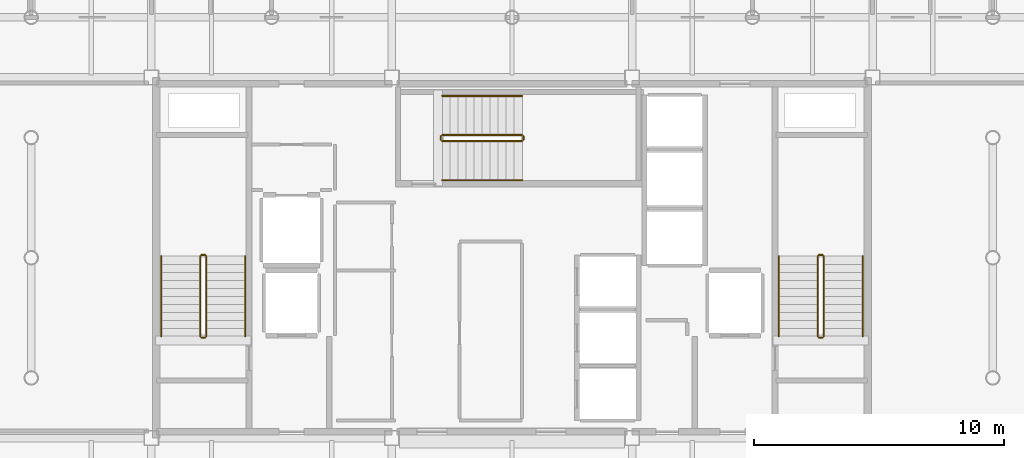
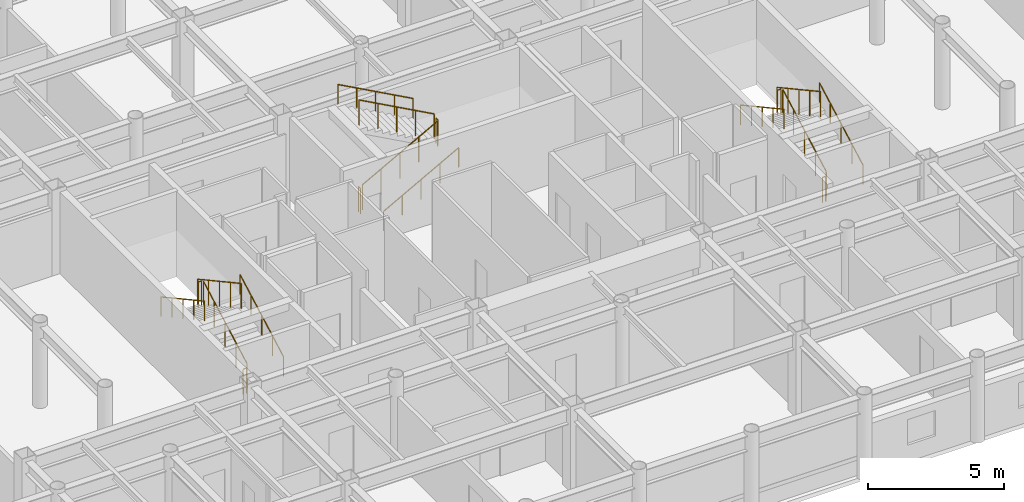
# One storey, part 22 of 22: 18 railings.
"""IFC4 building model written with IfcOpenShell, lengths in metres."""

from ifc_helpers import new_model, si_unit, direction, frame, origin, origin_2d, place, context, subcontext, project, spatial, circle, extrude, material, layer, layer_set, type_object, element, save


model = new_model("IFC4")

# Units and contexts
model_context = context("Model", 3, precision=1e-05, world=origin(), true_north=direction((0.0, 1.0)))
body_context = subcontext(model_context, "Body", "Model", "MODEL_VIEW")
ifc_project = project(units=[si_unit("LENGTHUNIT", "METRE"), si_unit("AREAUNIT", "SQUARE_METRE"), si_unit("VOLUMEUNIT", "CUBIC_METRE"), si_unit("PLANEANGLEUNIT", "RADIAN"), si_unit("MASSUNIT", "GRAM", prefix="KILO")], contexts=[model_context])

# Site, building, storey
site_placement = place(None, origin())
site = spatial("IfcSite", under=ifc_project, at=site_placement, CompositionType="ELEMENT")
building_placement = place(site_placement, origin())
building = spatial("IfcBuilding", under=site, at=building_placement, Name="Kallvorn Hotel Tower", CompositionType="ELEMENT")
storey_placement = place(building_placement, frame((0.0, 0.0, 241.550048828125)))
storey = spatial("IfcBuildingStorey", under=building, at=storey_placement, Name="L60", CompositionType="ELEMENT", Elevation=241.550048828125)

# Railings
ifc_material_1 = material(Name="Brushed stainless-steel tubular railing", Category="steel")
ifc_layer_1 = layer(ifc_material_1, 0.050048828125)
ifc_layer_set_1 = layer_set([ifc_layer_1], Name="RL_STAIR_GUARD")
railing_type_1 = type_object("IfcRailingType", Name="RL_STAIR_GUARD", PredefinedType="GUARDRAIL", material=ifc_layer_set_1)
railing_1_placement = place(storey_placement, frame((-12.2099609375, -3.139892578125, 0.175048828125)))
element("IfcRailing", 1, at=railing_1_placement, inside=storey, type_object=railing_type_1, Name="L60 ST1 stair guard 1", PredefinedType="GUARDRAIL", context=body_context, shape_type="SweptSolid", body=[
    extrude(circle(Radius=0.02392578125, at=origin_2d()), frame((0.0, 0.0, 1.1259765625), z_axis=(0.0, 0.877368057402, 0.479817977833), x_axis=(-1.0, 0.0, 0.0)), (0.0, 0.0, 1.0), 3.647216796875),
    extrude(circle(Radius=0.02099609375, at=origin_2d()), origin(), (0.0, 0.0, 1.0), 1.101806640625),
    extrude(circle(Radius=0.02099609375, at=origin_2d()), frame((0.0, 0.800048828125, 0.4375)), (0.0, 0.0, 1.0), 1.101806640625),
    extrude(circle(Radius=0.02099609375, at=origin_2d()), frame((0.0, 1.60009765625, 0.875)), (0.0, 0.0, 1.0), 1.101806640625),
    extrude(circle(Radius=0.02099609375, at=origin_2d()), frame((0.0, 2.39990234375, 1.3125)), (0.0, 0.0, 1.0), 1.101806640625),
    extrude(circle(Radius=0.02099609375, at=origin_2d()), frame((0.0, 3.199951171875, 1.75)), (0.0, 0.0, 1.0), 1.101806640625),
])
railing_2_placement = place(storey_placement, frame((-12.260009765625, 0.110107421875, 1.925048828125)))
element("IfcRailing", 2, at=railing_2_placement, inside=storey, type_object=railing_type_1, Name="L60 ST1 stair guard 2", PredefinedType="GUARDRAIL", context=body_context, shape_type="SweptSolid", body=[
    extrude(circle(Radius=0.02392578125, at=origin_2d()), frame((0.0, 0.0, 1.1259765625), z_axis=(-1.0, 0.0, 0.0), x_axis=(0.0, -1.0, 0.0)), (0.0, 0.0, 1.0), 0.139892578125),
    extrude(circle(Radius=0.02099609375, at=origin_2d()), origin(), (0.0, 0.0, 1.0), 1.101806640625),
    extrude(circle(Radius=0.02099609375, at=origin_2d()), frame((-0.139892578125, 0.0, 0.0)), (0.0, 0.0, 1.0), 1.101806640625),
])
railing_3_placement = place(storey_placement, frame((-12.449951171875, 0.06005859375, 2.099853515625)))
element("IfcRailing", 3, at=railing_3_placement, inside=storey, type_object=railing_type_1, Name="L60 ST1 stair guard 3", PredefinedType="GUARDRAIL", context=body_context, shape_type="SweptSolid", body=[
    extrude(circle(Radius=0.02392578125, at=origin_2d()), frame((0.0, 0.0, 1.1259765625), z_axis=(0.0, -0.877368057402, 0.479817977833), x_axis=(1.0, 0.0, 0.0)), (0.0, 0.0, 1.0), 3.647216796875),
    extrude(circle(Radius=0.02099609375, at=origin_2d()), origin(), (0.0, 0.0, 1.0), 1.101806640625),
    extrude(circle(Radius=0.02099609375, at=origin_2d()), frame((0.0, -0.800048828125, 0.4375)), (0.0, 0.0, 1.0), 1.101806640625),
    extrude(circle(Radius=0.02099609375, at=origin_2d()), frame((0.0, -1.60009765625, 0.875)), (0.0, 0.0, 1.0), 1.101806640625),
    extrude(circle(Radius=0.02099609375, at=origin_2d()), frame((0.0, -2.39990234375, 1.3125)), (0.0, 0.0, 1.0), 1.101806640625),
    extrude(circle(Radius=0.02099609375, at=origin_2d()), frame((0.0, -3.199951171875, 1.75)), (0.0, 0.0, 1.0), 1.101806640625),
])
railing_4_placement = place(storey_placement, frame((-12.260009765625, -3.18994140625, 0.0)))
element("IfcRailing", 4, at=railing_4_placement, inside=storey, type_object=railing_type_1, Name="L60 ST1 stair guard 4", PredefinedType="GUARDRAIL", context=body_context, shape_type="SweptSolid", body=[
    extrude(circle(Radius=0.02392578125, at=origin_2d()), frame((0.0, 0.0, 1.1259765625), z_axis=(-1.0, 0.0, 0.0), x_axis=(0.0, -1.0, 0.0)), (0.0, 0.0, 1.0), 0.139892578125),
    extrude(circle(Radius=0.02099609375, at=origin_2d()), origin(), (0.0, 0.0, 1.0), 1.101806640625),
    extrude(circle(Radius=0.02099609375, at=origin_2d()), frame((-0.139892578125, 0.0, 0.0)), (0.0, 0.0, 1.0), 1.101806640625),
])
railing_5_placement = place(storey_placement, frame((12.449951171875, -3.139892578125, 0.175048828125)))
element("IfcRailing", 5, at=railing_5_placement, inside=storey, type_object=railing_type_1, Name="L60 ST2 stair guard 1", PredefinedType="GUARDRAIL", context=body_context, shape_type="SweptSolid", body=[
    extrude(circle(Radius=0.02392578125, at=origin_2d()), frame((0.0, 0.0, 1.1259765625), z_axis=(0.0, 0.877368057402, 0.479817977833), x_axis=(-1.0, 0.0, 0.0)), (0.0, 0.0, 1.0), 3.647216796875),
    extrude(circle(Radius=0.02099609375, at=origin_2d()), origin(), (0.0, 0.0, 1.0), 1.101806640625),
    extrude(circle(Radius=0.02099609375, at=origin_2d()), frame((0.0, 0.800048828125, 0.4375)), (0.0, 0.0, 1.0), 1.101806640625),
    extrude(circle(Radius=0.02099609375, at=origin_2d()), frame((0.0, 1.60009765625, 0.875)), (0.0, 0.0, 1.0), 1.101806640625),
    extrude(circle(Radius=0.02099609375, at=origin_2d()), frame((0.0, 2.39990234375, 1.3125)), (0.0, 0.0, 1.0), 1.101806640625),
    extrude(circle(Radius=0.02099609375, at=origin_2d()), frame((0.0, 3.199951171875, 1.75)), (0.0, 0.0, 1.0), 1.101806640625),
])
railing_6_placement = place(storey_placement, frame((12.39990234375, 0.110107421875, 1.925048828125)))
element("IfcRailing", 6, at=railing_6_placement, inside=storey, type_object=railing_type_1, Name="L60 ST2 stair guard 2", PredefinedType="GUARDRAIL", context=body_context, shape_type="SweptSolid", body=[
    extrude(circle(Radius=0.02392578125, at=origin_2d()), frame((0.0, 0.0, 1.1259765625), z_axis=(-1.0, 0.0, 0.0), x_axis=(0.0, -1.0, 0.0)), (0.0, 0.0, 1.0), 0.139892578125),
    extrude(circle(Radius=0.02099609375, at=origin_2d()), origin(), (0.0, 0.0, 1.0), 1.101806640625),
    extrude(circle(Radius=0.02099609375, at=origin_2d()), frame((-0.139892578125, 0.0, 0.0)), (0.0, 0.0, 1.0), 1.101806640625),
])
railing_7_placement = place(storey_placement, frame((12.2099609375, 0.06005859375, 2.099853515625)))
element("IfcRailing", 7, at=railing_7_placement, inside=storey, type_object=railing_type_1, Name="L60 ST2 stair guard 3", PredefinedType="GUARDRAIL", context=body_context, shape_type="SweptSolid", body=[
    extrude(circle(Radius=0.02392578125, at=origin_2d()), frame((0.0, 0.0, 1.1259765625), z_axis=(0.0, -0.877368057402, 0.479817977833), x_axis=(1.0, 0.0, 0.0)), (0.0, 0.0, 1.0), 3.647216796875),
    extrude(circle(Radius=0.02099609375, at=origin_2d()), origin(), (0.0, 0.0, 1.0), 1.101806640625),
    extrude(circle(Radius=0.02099609375, at=origin_2d()), frame((0.0, -0.800048828125, 0.4375)), (0.0, 0.0, 1.0), 1.101806640625),
    extrude(circle(Radius=0.02099609375, at=origin_2d()), frame((0.0, -1.60009765625, 0.875)), (0.0, 0.0, 1.0), 1.101806640625),
    extrude(circle(Radius=0.02099609375, at=origin_2d()), frame((0.0, -2.39990234375, 1.3125)), (0.0, 0.0, 1.0), 1.101806640625),
    extrude(circle(Radius=0.02099609375, at=origin_2d()), frame((0.0, -3.199951171875, 1.75)), (0.0, 0.0, 1.0), 1.101806640625),
])
railing_8_placement = place(storey_placement, frame((12.39990234375, -3.18994140625, 0.0)))
element("IfcRailing", 8, at=railing_8_placement, inside=storey, type_object=railing_type_1, Name="L60 ST2 stair guard 4", PredefinedType="GUARDRAIL", context=body_context, shape_type="SweptSolid", body=[
    extrude(circle(Radius=0.02392578125, at=origin_2d()), frame((0.0, 0.0, 1.1259765625), z_axis=(-1.0, 0.0, 0.0), x_axis=(0.0, -1.0, 0.0)), (0.0, 0.0, 1.0), 0.139892578125),
    extrude(circle(Radius=0.02099609375, at=origin_2d()), origin(), (0.0, 0.0, 1.0), 1.101806640625),
    extrude(circle(Radius=0.02099609375, at=origin_2d()), frame((-0.139892578125, 0.0, 0.0)), (0.0, 0.0, 1.0), 1.101806640625),
])
railing_9_placement = place(storey_placement, frame((-2.7900390625, 4.659912109375, 0.175048828125)))
element("IfcRailing", 9, at=railing_9_placement, inside=storey, type_object=railing_type_1, Name="L60 ST3 stair guard 1", PredefinedType="GUARDRAIL", context=body_context, shape_type="SweptSolid", body=[
    extrude(circle(Radius=0.02392578125, at=origin_2d()), frame((0.0, 0.0, 1.1259765625), z_axis=(0.877368057402, 0.0, 0.479817977833), x_axis=(0.0, 1.0, 0.0)), (0.0, 0.0, 1.0), 3.647216796875),
    extrude(circle(Radius=0.02099609375, at=origin_2d()), origin(), (0.0, 0.0, 1.0), 1.101806640625),
    extrude(circle(Radius=0.02099609375, at=origin_2d()), frame((0.800048828125, 0.0, 0.4375)), (0.0, 0.0, 1.0), 1.101806640625),
    extrude(circle(Radius=0.02099609375, at=origin_2d()), frame((1.60009765625, 0.0, 0.875)), (0.0, 0.0, 1.0), 1.101806640625),
    extrude(circle(Radius=0.02099609375, at=origin_2d()), frame((2.39990234375, 0.0, 1.3125)), (0.0, 0.0, 1.0), 1.101806640625),
    extrude(circle(Radius=0.02099609375, at=origin_2d()), frame((3.199951171875, 0.0, 1.75)), (0.0, 0.0, 1.0), 1.101806640625),
])
railing_10_placement = place(storey_placement, frame((0.4599609375, 4.7099609375, 1.925048828125)))
element("IfcRailing", 10, at=railing_10_placement, inside=storey, type_object=railing_type_1, Name="L60 ST3 stair guard 2", PredefinedType="GUARDRAIL", context=body_context, shape_type="SweptSolid", body=[
    extrude(circle(Radius=0.02392578125, at=origin_2d()), frame((0.0, 0.0, 1.1259765625), z_axis=(0.0, 1.0, 0.0), x_axis=(-1.0, 0.0, 0.0)), (0.0, 0.0, 1.0), 0.14013671875),
    extrude(circle(Radius=0.02099609375, at=origin_2d()), origin(), (0.0, 0.0, 1.0), 1.101806640625),
    extrude(circle(Radius=0.02099609375, at=origin_2d()), frame((0.0, 0.14013671875, 0.0)), (0.0, 0.0, 1.0), 1.101806640625),
])
railing_11_placement = place(storey_placement, frame((0.409912109375, 4.89990234375, 2.099853515625)))
element("IfcRailing", 11, at=railing_11_placement, inside=storey, type_object=railing_type_1, Name="L60 ST3 stair guard 3", PredefinedType="GUARDRAIL", context=body_context, shape_type="SweptSolid", body=[
    extrude(circle(Radius=0.02392578125, at=origin_2d()), frame((0.0, 0.0, 1.1259765625), z_axis=(-0.877368057402, 0.0, 0.479817977833), x_axis=(0.0, -1.0, 0.0)), (0.0, 0.0, 1.0), 3.647216796875),
    extrude(circle(Radius=0.02099609375, at=origin_2d()), origin(), (0.0, 0.0, 1.0), 1.101806640625),
    extrude(circle(Radius=0.02099609375, at=origin_2d()), frame((-0.800048828125, 0.0, 0.4375)), (0.0, 0.0, 1.0), 1.101806640625),
    extrude(circle(Radius=0.02099609375, at=origin_2d()), frame((-1.60009765625, 0.0, 0.875)), (0.0, 0.0, 1.0), 1.101806640625),
    extrude(circle(Radius=0.02099609375, at=origin_2d()), frame((-2.39990234375, 0.0, 1.3125)), (0.0, 0.0, 1.0), 1.101806640625),
    extrude(circle(Radius=0.02099609375, at=origin_2d()), frame((-3.199951171875, 0.0, 1.75)), (0.0, 0.0, 1.0), 1.101806640625),
])
railing_12_placement = place(storey_placement, frame((-2.840087890625, 4.7099609375, 0.0)))
element("IfcRailing", 12, at=railing_12_placement, inside=storey, type_object=railing_type_1, Name="L60 ST3 stair guard 4", PredefinedType="GUARDRAIL", context=body_context, shape_type="SweptSolid", body=[
    extrude(circle(Radius=0.02392578125, at=origin_2d()), frame((0.0, 0.0, 1.1259765625), z_axis=(0.0, 1.0, 0.0), x_axis=(-1.0, 0.0, 0.0)), (0.0, 0.0, 1.0), 0.14013671875),
    extrude(circle(Radius=0.02099609375, at=origin_2d()), origin(), (0.0, 0.0, 1.0), 1.101806640625),
    extrude(circle(Radius=0.02099609375, at=origin_2d()), frame((0.0, 0.14013671875, 0.0)), (0.0, 0.0, 1.0), 1.101806640625),
])
ifc_material_2 = material(Name="Brushed stainless-steel tubular railing", Category="steel")
ifc_layer_2 = layer(ifc_material_2, 0.050048828125)
ifc_layer_set_2 = layer_set([ifc_layer_2], Name="RL_STAIR_HAND")
railing_type_2 = type_object("IfcRailingType", Name="RL_STAIR_HAND", PredefinedType="HANDRAIL", material=ifc_layer_set_2)
railing_13_placement = place(storey_placement, frame((-10.64990234375, -3.139892578125, 0.175048828125)))
element("IfcRailing", 13, at=railing_13_placement, inside=storey, type_object=railing_type_2, Name="L60 ST1 stair handrail 1", PredefinedType="HANDRAIL", context=body_context, shape_type="SweptSolid", body=[
    extrude(circle(Radius=0.02392578125, at=origin_2d()), frame((0.0, 0.0, 0.8759765625), z_axis=(0.0, 0.877368057402, 0.479817977833), x_axis=(-1.0, 0.0, 0.0)), (0.0, 0.0, 1.0), 3.647216796875),
    extrude(circle(Radius=0.02099609375, at=origin_2d()), origin(), (0.0, 0.0, 1.0), 0.851806640625),
    extrude(circle(Radius=0.02099609375, at=origin_2d()), frame((0.0, 0.800048828125, 0.4375)), (0.0, 0.0, 1.0), 0.851806640625),
    extrude(circle(Radius=0.02099609375, at=origin_2d()), frame((0.0, 1.60009765625, 0.875)), (0.0, 0.0, 1.0), 0.851806640625),
    extrude(circle(Radius=0.02099609375, at=origin_2d()), frame((0.0, 2.39990234375, 1.3125)), (0.0, 0.0, 1.0), 0.851806640625),
    extrude(circle(Radius=0.02099609375, at=origin_2d()), frame((0.0, 3.199951171875, 1.75)), (0.0, 0.0, 1.0), 0.851806640625),
])
railing_14_placement = place(storey_placement, frame((-14.010009765625, 0.06005859375, 2.099853515625)))
element("IfcRailing", 14, at=railing_14_placement, inside=storey, type_object=railing_type_2, Name="L60 ST1 stair handrail 2", PredefinedType="HANDRAIL", context=body_context, shape_type="SweptSolid", body=[
    extrude(circle(Radius=0.02392578125, at=origin_2d()), frame((0.0, 0.0, 0.8759765625), z_axis=(0.0, -0.877368057402, 0.479817977833), x_axis=(1.0, 0.0, 0.0)), (0.0, 0.0, 1.0), 3.647216796875),
    extrude(circle(Radius=0.02099609375, at=origin_2d()), origin(), (0.0, 0.0, 1.0), 0.851806640625),
    extrude(circle(Radius=0.02099609375, at=origin_2d()), frame((0.0, -0.800048828125, 0.4375)), (0.0, 0.0, 1.0), 0.851806640625),
    extrude(circle(Radius=0.02099609375, at=origin_2d()), frame((0.0, -1.60009765625, 0.875)), (0.0, 0.0, 1.0), 0.851806640625),
    extrude(circle(Radius=0.02099609375, at=origin_2d()), frame((0.0, -2.39990234375, 1.3125)), (0.0, 0.0, 1.0), 0.851806640625),
    extrude(circle(Radius=0.02099609375, at=origin_2d()), frame((0.0, -3.199951171875, 1.75)), (0.0, 0.0, 1.0), 0.851806640625),
])
railing_15_placement = place(storey_placement, frame((14.010009765625, -3.139892578125, 0.175048828125)))
element("IfcRailing", 15, at=railing_15_placement, inside=storey, type_object=railing_type_2, Name="L60 ST2 stair handrail 1", PredefinedType="HANDRAIL", context=body_context, shape_type="SweptSolid", body=[
    extrude(circle(Radius=0.02392578125, at=origin_2d()), frame((0.0, 0.0, 0.8759765625), z_axis=(0.0, 0.877368057402, 0.479817977833), x_axis=(-1.0, 0.0, 0.0)), (0.0, 0.0, 1.0), 3.647216796875),
    extrude(circle(Radius=0.02099609375, at=origin_2d()), origin(), (0.0, 0.0, 1.0), 0.851806640625),
    extrude(circle(Radius=0.02099609375, at=origin_2d()), frame((0.0, 0.800048828125, 0.4375)), (0.0, 0.0, 1.0), 0.851806640625),
    extrude(circle(Radius=0.02099609375, at=origin_2d()), frame((0.0, 1.60009765625, 0.875)), (0.0, 0.0, 1.0), 0.851806640625),
    extrude(circle(Radius=0.02099609375, at=origin_2d()), frame((0.0, 2.39990234375, 1.3125)), (0.0, 0.0, 1.0), 0.851806640625),
    extrude(circle(Radius=0.02099609375, at=origin_2d()), frame((0.0, 3.199951171875, 1.75)), (0.0, 0.0, 1.0), 0.851806640625),
])
railing_16_placement = place(storey_placement, frame((10.64990234375, 0.06005859375, 2.099853515625)))
element("IfcRailing", 16, at=railing_16_placement, inside=storey, type_object=railing_type_2, Name="L60 ST2 stair handrail 2", PredefinedType="HANDRAIL", context=body_context, shape_type="SweptSolid", body=[
    extrude(circle(Radius=0.02392578125, at=origin_2d()), frame((0.0, 0.0, 0.8759765625), z_axis=(0.0, -0.877368057402, 0.479817977833), x_axis=(1.0, 0.0, 0.0)), (0.0, 0.0, 1.0), 3.647216796875),
    extrude(circle(Radius=0.02099609375, at=origin_2d()), origin(), (0.0, 0.0, 1.0), 0.851806640625),
    extrude(circle(Radius=0.02099609375, at=origin_2d()), frame((0.0, -0.800048828125, 0.4375)), (0.0, 0.0, 1.0), 0.851806640625),
    extrude(circle(Radius=0.02099609375, at=origin_2d()), frame((0.0, -1.60009765625, 0.875)), (0.0, 0.0, 1.0), 0.851806640625),
    extrude(circle(Radius=0.02099609375, at=origin_2d()), frame((0.0, -2.39990234375, 1.3125)), (0.0, 0.0, 1.0), 0.851806640625),
    extrude(circle(Radius=0.02099609375, at=origin_2d()), frame((0.0, -3.199951171875, 1.75)), (0.0, 0.0, 1.0), 0.851806640625),
])
railing_17_placement = place(storey_placement, frame((-2.7900390625, 3.10009765625, 0.175048828125)))
element("IfcRailing", 17, at=railing_17_placement, inside=storey, type_object=railing_type_2, Name="L60 ST3 stair handrail 1", PredefinedType="HANDRAIL", context=body_context, shape_type="SweptSolid", body=[
    extrude(circle(Radius=0.02392578125, at=origin_2d()), frame((0.0, 0.0, 0.8759765625), z_axis=(0.877368057402, 0.0, 0.479817977833), x_axis=(0.0, 1.0, 0.0)), (0.0, 0.0, 1.0), 3.647216796875),
    extrude(circle(Radius=0.02099609375, at=origin_2d()), origin(), (0.0, 0.0, 1.0), 0.851806640625),
    extrude(circle(Radius=0.02099609375, at=origin_2d()), frame((0.800048828125, 0.0, 0.4375)), (0.0, 0.0, 1.0), 0.851806640625),
    extrude(circle(Radius=0.02099609375, at=origin_2d()), frame((1.60009765625, 0.0, 0.875)), (0.0, 0.0, 1.0), 0.851806640625),
    extrude(circle(Radius=0.02099609375, at=origin_2d()), frame((2.39990234375, 0.0, 1.3125)), (0.0, 0.0, 1.0), 0.851806640625),
    extrude(circle(Radius=0.02099609375, at=origin_2d()), frame((3.199951171875, 0.0, 1.75)), (0.0, 0.0, 1.0), 0.851806640625),
])
railing_18_placement = place(storey_placement, frame((0.409912109375, 6.4599609375, 2.099853515625)))
element("IfcRailing", 18, at=railing_18_placement, inside=storey, type_object=railing_type_2, Name="L60 ST3 stair handrail 2", PredefinedType="HANDRAIL", context=body_context, shape_type="SweptSolid", body=[
    extrude(circle(Radius=0.02392578125, at=origin_2d()), frame((0.0, 0.0, 0.8759765625), z_axis=(-0.877368057402, 0.0, 0.479817977833), x_axis=(0.0, -1.0, 0.0)), (0.0, 0.0, 1.0), 3.647216796875),
    extrude(circle(Radius=0.02099609375, at=origin_2d()), origin(), (0.0, 0.0, 1.0), 0.851806640625),
    extrude(circle(Radius=0.02099609375, at=origin_2d()), frame((-0.800048828125, 0.0, 0.4375)), (0.0, 0.0, 1.0), 0.851806640625),
    extrude(circle(Radius=0.02099609375, at=origin_2d()), frame((-1.60009765625, 0.0, 0.875)), (0.0, 0.0, 1.0), 0.851806640625),
    extrude(circle(Radius=0.02099609375, at=origin_2d()), frame((-2.39990234375, 0.0, 1.3125)), (0.0, 0.0, 1.0), 0.851806640625),
    extrude(circle(Radius=0.02099609375, at=origin_2d()), frame((-3.199951171875, 0.0, 1.75)), (0.0, 0.0, 1.0), 0.851806640625),
])

save(model, "model.ifc")
